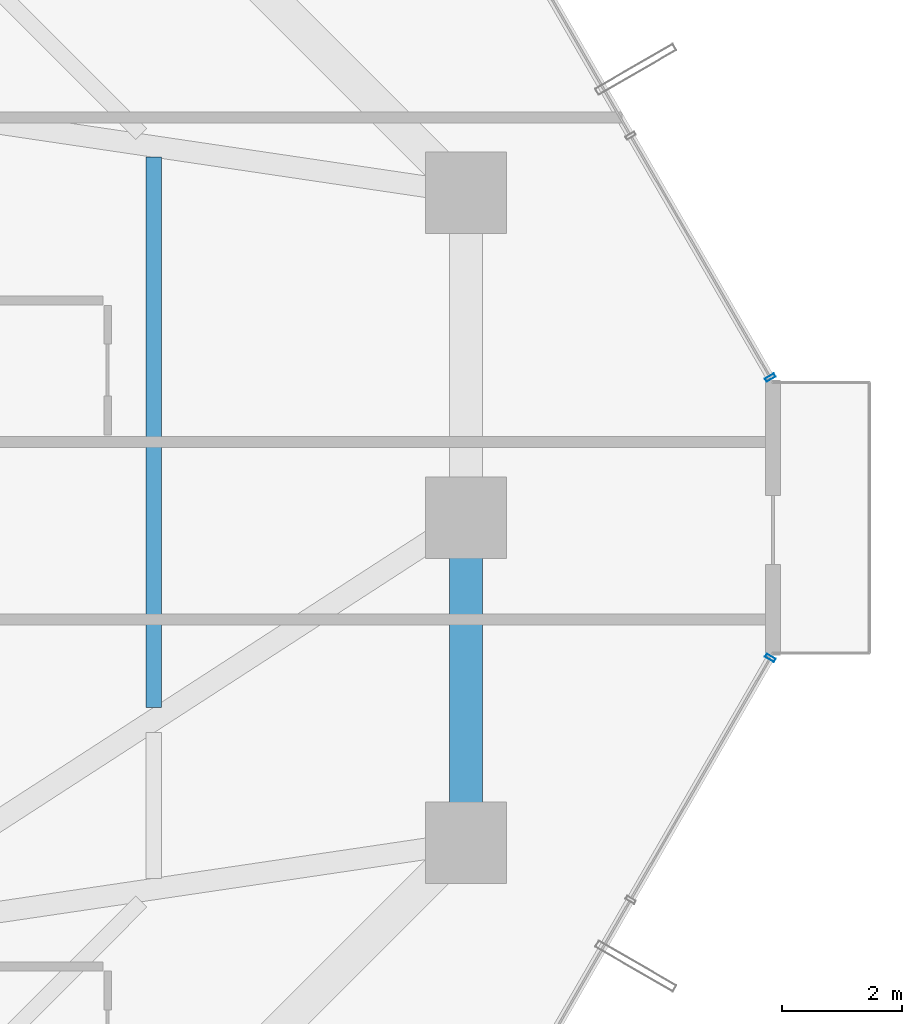
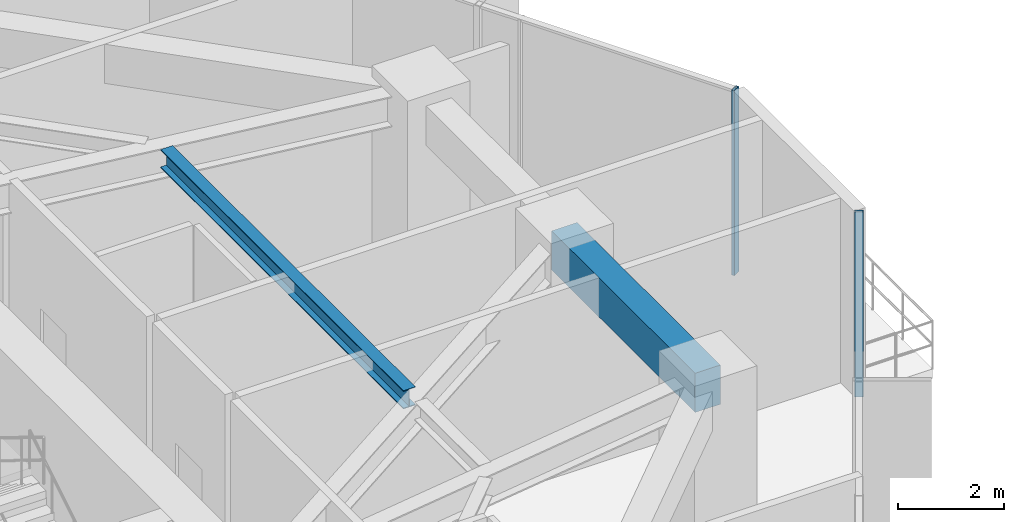
# One storey, part 19 of 39: 2 beams, 2 members, 2 elements without a shape of their own.
"""IFC4 building model written with IfcOpenShell, lengths in metres."""

from ifc_helpers import new_model, si_unit, direction, frame, origin, origin_2d, place, context, subcontext, project, spatial, rectangle, hollow_rectangle, i_section, extrude, source, transform, mapped, material, layer, layer_set, material_profile, profile_set, type_object, element, aggregate, save


model = new_model("IFC4")

# Units and contexts
model_context = context("Model", 3, precision=1e-05, world=origin(), true_north=direction((0.0, 1.0)))
body_context = subcontext(model_context, "Body", "Model", "MODEL_VIEW")
ifc_project = project(units=[si_unit("LENGTHUNIT", "METRE"), si_unit("AREAUNIT", "SQUARE_METRE"), si_unit("VOLUMEUNIT", "CUBIC_METRE"), si_unit("PLANEANGLEUNIT", "RADIAN"), si_unit("MASSUNIT", "GRAM", prefix="KILO")], contexts=[model_context])

# Site, building, storey
site_placement = place(None, origin())
site = spatial("IfcSite", under=ifc_project, at=site_placement, CompositionType="ELEMENT")
building_placement = place(site_placement, origin())
building = spatial("IfcBuilding", under=site, at=building_placement, Name="Veraguas Prism Commons", CompositionType="ELEMENT")
storey_placement = place(building_placement, frame((0.0, 0.0, 22.800048828125)))
storey = spatial("IfcBuildingStorey", under=building, at=storey_placement, Name="L05", CompositionType="ELEMENT", Elevation=22.800048828125)

# Beams
ifc_material_1 = material(Name="Steel ASTM A992 Grade 50", Category="steel")
ifc_material_profile_1 = material_profile(ifc_material_1, i_section(OverallWidth=0.260986328125, OverallDepth=0.419921875, WebThickness=0.01171875, FlangeThickness=0.019287109375, at=origin_2d()), Name="W410X114")
ifc_profile_set_1 = profile_set([ifc_material_profile_1], Name="Steel ASTM A992 Grade 50")
beam_type_1 = type_object("IfcBeamType", Name="Lower Floor Joist W410x114", PredefinedType="JOIST", material=ifc_profile_set_1)
beam_1_placement = place(storey_placement, frame((36.416015625, 20.849609375, 4.0400390625), z_axis=(0.0, 1.0, 0.0), x_axis=(-1.0, 0.0, 0.0)))
element("IfcBeam", 1, at=beam_1_placement, inside=storey, type_object=beam_type_1, Name="Composite Floor Joist L05-JS02", PredefinedType="JOIST", context=body_context, shape_type="SweptSolid", body=[
    extrude(i_section(OverallWidth=0.260986328125, OverallDepth=0.419921875, WebThickness=0.01171875, FlangeThickness=0.019287109375, at=origin_2d()), origin(), (0.0, 0.0, 1.0), 9.140380859375),
])
ifc_material_2 = material(Name="Concrete C50/60", Category="concrete")
ifc_material_profile_2 = material_profile(ifc_material_2, rectangle(XDim=0.550048828125, YDim=0.89990234375, at=origin_2d()), Name="RC550X900")
ifc_profile_set_2 = profile_set([ifc_material_profile_2], Name="Concrete C50/60")
beam_type_2 = type_object("IfcBeamType", Name="Perimeter Spandrel Lower RC 550x900", PredefinedType="SPANDREL", material=ifc_profile_set_2)
beam_2_placement = place(storey_placement, frame((41.60009765625, 18.60009765625, 3.800048828125), z_axis=(0.0, 1.0, 0.0), x_axis=(-1.0, 0.0, 0.0)))
element("IfcBeam", 2, at=beam_2_placement, inside=storey, type_object=beam_type_2, Name="Perimeter Spandrel Beam L05-SP01", PredefinedType="SPANDREL", context=body_context, shape_type="SweptSolid", body=[
    extrude(rectangle(XDim=0.550048828125, YDim=0.89990234375, at=origin_2d()), origin(), (0.0, 0.0, 1.0), 5.39990234375),
])

# Curtain wall, member
ifc_material_3 = material(Name="Anodised aluminium EN AW-6063 T6", Category="aluminium")
ifc_layer = layer(ifc_material_3, 0.169921875, Name="Unitised Flush Curtain Wall Zone 1", Category="aluminium")
ifc_layer_set = layer_set([ifc_layer], Name="Anodised aluminium EN AW-6063 T6")
curtain_wall_type = type_object("IfcCurtainWallType", Name="Unitised Flush Curtain Wall Zone 1", PredefinedType="NOTDEFINED", material=ifc_layer_set)
curtain_wall_1_placement = place(storey_placement, origin())
curtain_wall_1 = element("IfcCurtainWall", 3, at=curtain_wall_1_placement, inside=storey, type_object=curtain_wall_type, Name="Tower Facade Curtain Wall L05-F1", PredefinedType="NOTDEFINED")
ifc_material_profile_3 = material_profile(ifc_material_3, hollow_rectangle(XDim=0.06005859375, YDim=0.169921875, WallThickness=0.00390625, at=origin_2d()), Name="AL60X170X4")
ifc_profile_set_3 = profile_set([ifc_material_profile_3], Name="Anodised aluminium EN AW-6063 T6")
member_type = type_object("IfcMemberType", Name="Curtain Wall Mullion Lower AL 60x170x4", PredefinedType="MULLION", material=ifc_profile_set_3)
shared_shape = source(origin(), body_context, "Body", "SweptSolid", [
    extrude(hollow_rectangle(XDim=0.06005859375, YDim=0.169921875, WallThickness=0.00390625, at=origin_2d()), origin(), (0.0, 0.0, 1.0), 4.25),
])
member_1_placement = place(storey_placement, frame((46.656005859375, 26.327880859375, 0.0), z_axis=(0.0, 0.0, 1.0), x_axis=(-0.500004534492, 0.866022785779, 0.0)))
member_1 = element("IfcMember", 4, at=member_1_placement, type_object=member_type, Name="CW-Z1 Mullion 1", PredefinedType="MULLION", context=body_context, shape_type="MappedRepresentation", body=[
    mapped(shared_shape, transform((0.0, 0.0, 0.0), scale=1.0)),
])
aggregate(curtain_wall_1, [member_1])

curtain_wall_2_placement = place(storey_placement, origin())
curtain_wall_2 = element("IfcCurtainWall", 5, at=curtain_wall_2_placement, inside=storey, type_object=curtain_wall_type, Name="Tower Facade Curtain Wall L05-F6", PredefinedType="NOTDEFINED")
member_2_placement = place(storey_placement, frame((46.656005859375, 21.672119140625, 0.0), z_axis=(0.0, 0.0, 1.0), x_axis=(0.500004534492, 0.866022785779, 0.0)))
member_2 = element("IfcMember", 6, at=member_2_placement, type_object=member_type, Name="CW-Z1 Mullion 5", PredefinedType="MULLION", context=body_context, shape_type="MappedRepresentation", body=[
    mapped(shared_shape, transform((0.0, 0.0, 0.0), scale=1.0)),
])
aggregate(curtain_wall_2, [member_2])

save(model, "model.ifc")
